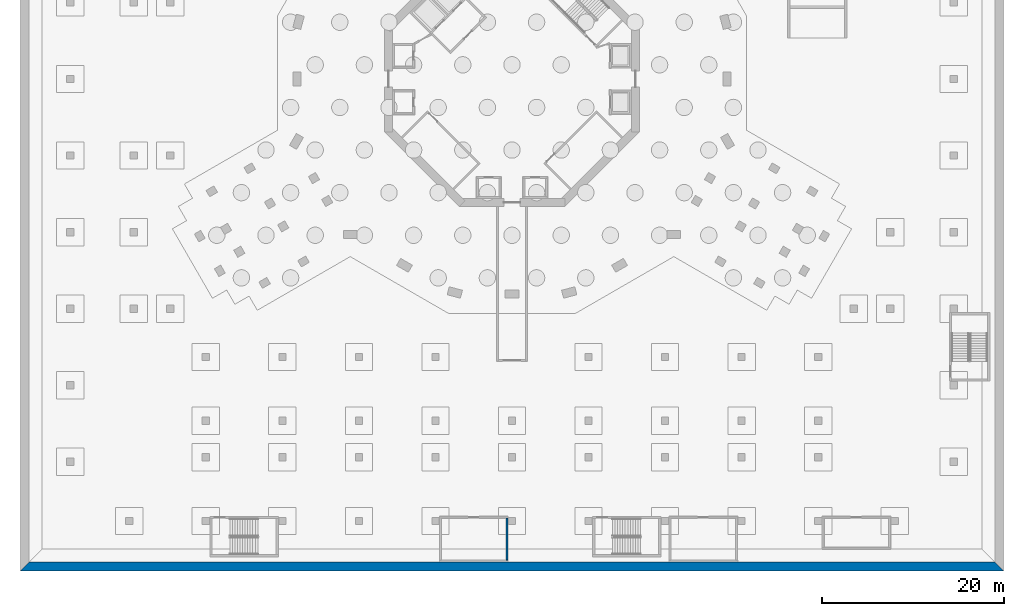
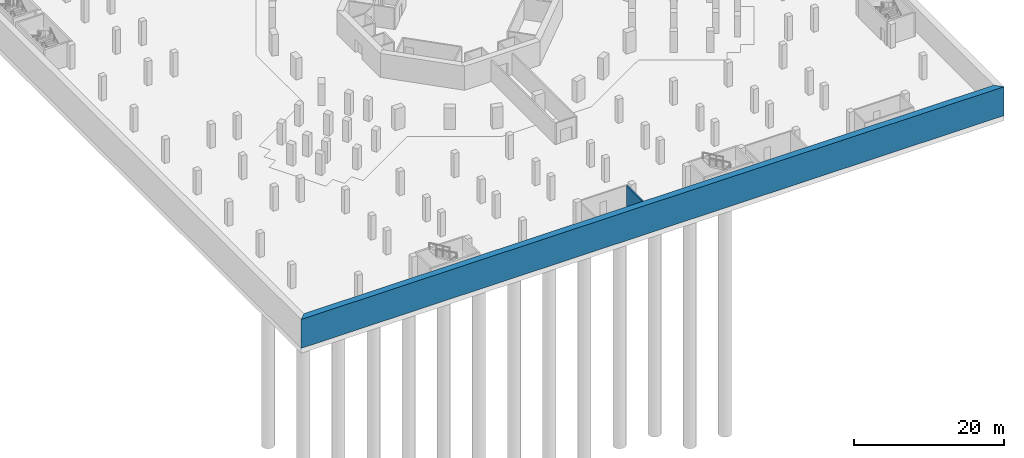
# One storey, part 5 of 27: 2 walls.
"""IFC4 building model written with IfcOpenShell, lengths in metres."""

from ifc_helpers import new_model, si_unit, direction, frame, frame_2d, origin, place, context, subcontext, project, spatial, polyline, rectangle, outline, extrude, material, layer, layer_set, type_object, element, save


model = new_model("IFC4")

# Units and contexts
model_context = context("Model", 3, precision=1e-05, world=origin(), true_north=direction((0.0, 1.0)))
body_context = subcontext(model_context, "Body", "Model", "MODEL_VIEW")
ifc_project = project(units=[si_unit("LENGTHUNIT", "METRE"), si_unit("AREAUNIT", "SQUARE_METRE"), si_unit("VOLUMEUNIT", "CUBIC_METRE"), si_unit("PLANEANGLEUNIT", "RADIAN"), si_unit("MASSUNIT", "GRAM", prefix="KILO")], contexts=[model_context])

# Site, building, storey
site_placement = place(None, origin())
site = spatial("IfcSite", under=ifc_project, at=site_placement, CompositionType="ELEMENT")
building_placement = place(site_placement, origin())
building = spatial("IfcBuilding", under=site, at=building_placement, Name="Verdalira Terraces Hotel", CompositionType="ELEMENT")
storey_placement = place(building_placement, frame((0.0, 0.0, -11.699951)))
storey = spatial("IfcBuildingStorey", under=building, at=storey_placement, Name="B3", CompositionType="ELEMENT", Elevation=-11.699951171875)

# Walls
ifc_material_1 = material(Name="Concrete C40", Category="concrete")
ifc_layer_1 = layer(ifc_material_1, 1.0)
ifc_layer_set_1 = layer_set([ifc_layer_1], Name="Retaining wall from base slab 1000 C40")
wall_type_1 = type_object("IfcWallType", Name="Retaining wall from base slab 1000 C40", PredefinedType="SOLIDWALL", material=ifc_layer_set_1)
wall_1_placement = place(storey_placement, frame((0.0, 0.0, -0.800049)))
element("IfcWall", 1, at=wall_1_placement, inside=storey, type_object=wall_type_1, Name="Retaining wall B3 side 3", PredefinedType="SOLIDWALL", context=body_context, shape_type="SweptSolid", body=[
    extrude(outline(polyline([(-54.0, -54.0), (54.0, -54.0), (53.0, -53.0), (-53.0, -53.0), (-54.0, -54.0)])), origin(), (0.0, 0.0, 1.0), 4.699951),
])
ifc_material_2 = material(Name="Concrete C40", Category="concrete")
ifc_layer_2 = layer(ifc_material_2, 0.199951171875)
ifc_layer_set_2 = layer_set([ifc_layer_2], Name="Service room wall 200 C40")
wall_type_2 = type_object("IfcWallType", Name="Service room wall 200 C40", PredefinedType="PARTITIONING", material=ifc_layer_set_2)
wall_2_placement = place(storey_placement, frame((-0.550049, -52.800049, 0.0), z_axis=(0.0, 0.0, 1.0), x_axis=(0.0, 1.0, 0.0)))
element("IfcWall", 2, at=wall_2_placement, inside=storey, type_object=wall_type_2, Name="Generator room wall", PredefinedType="PARTITIONING", context=body_context, shape_type="SweptSolid", body=[
    extrude(rectangle(XDim=4.600098, YDim=0.199951, at=frame_2d((2.300049, 0.0))), origin(), (0.0, 0.0, 1.0), 3.449951),
])

save(model, "model.ifc")
